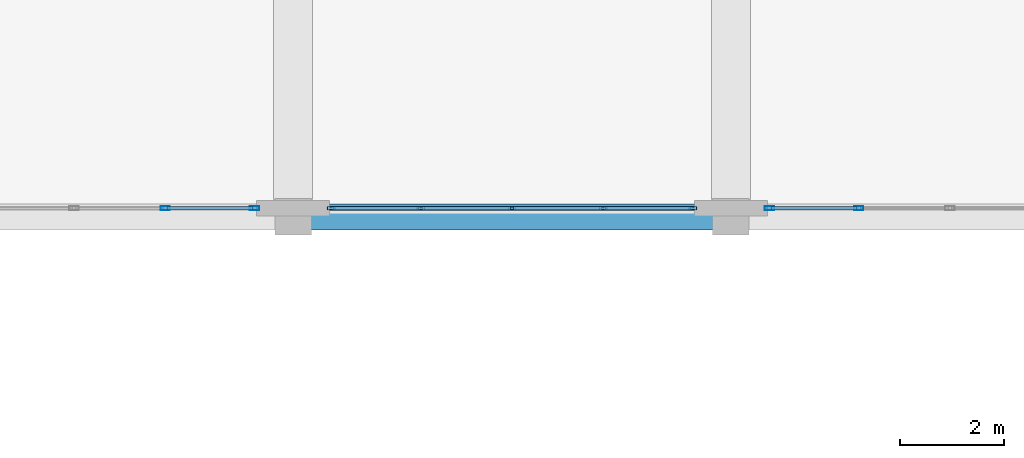
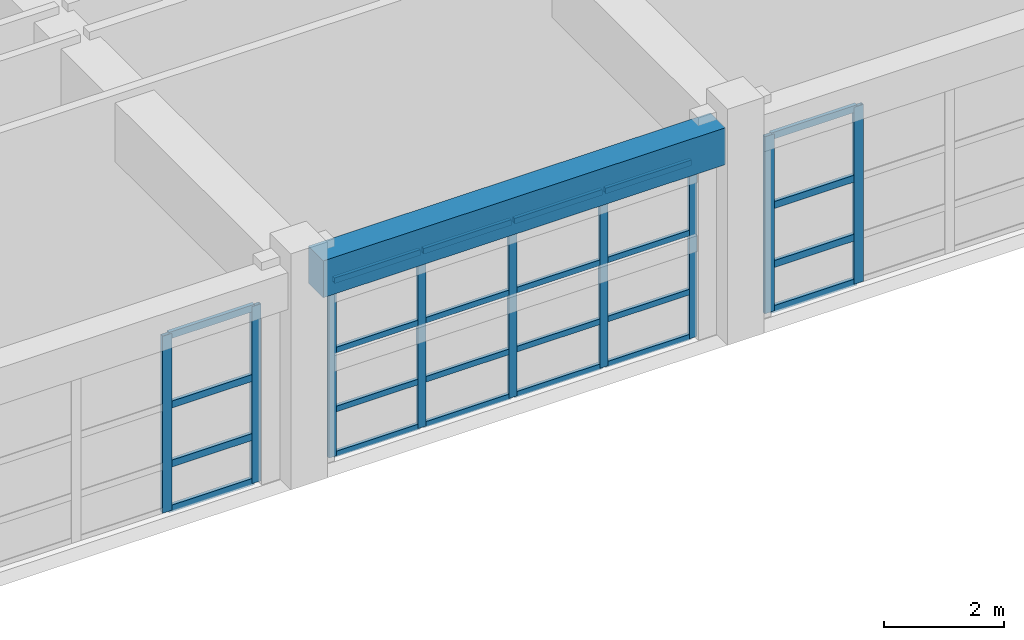
# One storey, part 50 of 123: 33 members, 1 beam, 3 elements without a shape of their own.
"""IFC4 building model written with IfcOpenShell, lengths in metres."""

from ifc_helpers import new_model, si_unit, direction, frame, origin, origin_2d, place, context, subcontext, project, spatial, rectangle, hollow_rectangle, extrude, material, layer, layer_set, material_profile, profile_set, type_object, element, aggregate, save


model = new_model("IFC4")

# Units and contexts
model_context = context("Model", 3, precision=1e-05, world=origin(), true_north=direction((0.0, 1.0)))
body_context = subcontext(model_context, "Body", "Model", "MODEL_VIEW")
ifc_project = project(units=[si_unit("LENGTHUNIT", "METRE"), si_unit("AREAUNIT", "SQUARE_METRE"), si_unit("VOLUMEUNIT", "CUBIC_METRE"), si_unit("PLANEANGLEUNIT", "RADIAN"), si_unit("MASSUNIT", "GRAM", prefix="KILO")], contexts=[model_context])

# Site, building, storey
site_placement = place(None, origin())
site = spatial("IfcSite", under=ifc_project, at=site_placement, CompositionType="ELEMENT")
building_placement = place(site_placement, origin())
building = spatial("IfcBuilding", under=site, at=building_placement, Name="Quendrovan Civic Courthouse", CompositionType="ELEMENT")
storey_placement = place(building_placement, frame((0.0, 0.0, 5.39990234375)))
storey = spatial("IfcBuildingStorey", under=building, at=storey_placement, Name="L02", CompositionType="ELEMENT", Elevation=5.39990234375)

# Beam
ifc_material_1 = material(Name="Concrete C40/50", Category="concrete")
ifc_material_profile_1 = material_profile(ifc_material_1, rectangle(XDim=0.5, YDim=0.75, at=origin_2d()), Name="RC-BM-500x750")
ifc_profile_set_1 = profile_set([ifc_material_profile_1], Name="Concrete C40/50")
beam_type = type_object("IfcBeamType", Name="BM-RC750", PredefinedType="SPANDREL", material=ifc_profile_set_1)
beam_placement = place(storey_placement, frame((67.530029296875, 64.800048828125, 3.985107421875), z_axis=(1.0, 0.0, 0.0), x_axis=(0.0, 1.0, 0.0)))
element("IfcBeam", 1, at=beam_placement, inside=storey, type_object=beam_type, Name="L02 Girder X0534", PredefinedType="SPANDREL", context=body_context, shape_type="SweptSolid", body=[
    extrude(rectangle(XDim=0.5, YDim=0.75, at=origin_2d()), origin(), (0.0, 0.0, 1.0), 7.739990234375),
])

# Curtain wall, members
ifc_material_2 = material(Name="Bronze anodised aluminium and low-E glass", Category="aluminium")
ifc_layer = layer(ifc_material_2, 0.179931640625, Name="Bronze anodised aluminium and low-E glass")
ifc_layer_set = layer_set([ifc_layer], Name="Bronze anodised aluminium and low-E glass")
curtain_wall_type = type_object("IfcCurtainWallType", Name="CW-U70x36", PredefinedType="USERDEFINED", material=ifc_layer_set)
curtain_wall_1_placement = place(storey_placement, origin())
curtain_wall_1 = element("IfcCurtainWall", 2, at=curtain_wall_1_placement, inside=storey, type_object=curtain_wall_type, Name="L02 Unitised Hurricane Curtain Wall CW-108", ObjectType="UNITISED CURTAIN WALL", PredefinedType="USERDEFINED")
ifc_material_3 = material(Name="Bronze anodised aluminium", Category="aluminium")
ifc_material_profile_2 = material_profile(ifc_material_3, hollow_rectangle(XDim=0.070068359375, YDim=0.179931640625, WallThickness=0.00390625, at=origin_2d()), Name="CW-MULL-70x180")
ifc_profile_set_2 = profile_set([ifc_material_profile_2], Name="Bronze anodised aluminium")
member_type_1 = type_object("IfcMemberType", Name="CW-MULL-A", PredefinedType="MULLION", material=ifc_profile_set_2)
member_1_placement = place(storey_placement, frame((78.050048828125, 64.965087890625, 0.0), z_axis=(0.0, 0.0, 1.0), x_axis=(0.0, -1.0, 0.0)))
member_1 = element("IfcMember", 3, at=member_1_placement, type_object=member_type_1, Name="CW-108 mullion 4", PredefinedType="MULLION", context=body_context, shape_type="SweptSolid", body=[
    extrude(hollow_rectangle(XDim=0.070068359375, YDim=0.179931640625, WallThickness=0.00390625, at=origin_2d()), origin(), (0.0, 0.0, 1.0), 3.60009765625),
])
member_2_placement = place(storey_placement, frame((76.3349609375, 64.965087890625, 0.0), z_axis=(0.0, 0.0, 1.0), x_axis=(0.0, -1.0, 0.0)))
member_2 = element("IfcMember", 4, at=member_2_placement, type_object=member_type_1, Name="CW-108 mullion 5", PredefinedType="MULLION", context=body_context, shape_type="SweptSolid", body=[
    extrude(hollow_rectangle(XDim=0.070068359375, YDim=0.179931640625, WallThickness=0.00390625, at=origin_2d()), origin(), (0.0, 0.0, 1.0), 3.60009765625),
])

curtain_wall_2_placement = place(storey_placement, origin())
curtain_wall_2 = element("IfcCurtainWall", 5, at=curtain_wall_2_placement, inside=storey, type_object=curtain_wall_type, Name="L02 Unitised Hurricane Curtain Wall CW-110", ObjectType="UNITISED CURTAIN WALL", PredefinedType="USERDEFINED")
member_3_placement = place(storey_placement, frame((66.465087890625, 64.965087890625, 0.0), z_axis=(0.0, 0.0, 1.0), x_axis=(0.0, -1.0, 0.0)))
member_3 = element("IfcMember", 6, at=member_3_placement, type_object=member_type_1, Name="CW-110 mullion 1", PredefinedType="MULLION", context=body_context, shape_type="SweptSolid", body=[
    extrude(hollow_rectangle(XDim=0.070068359375, YDim=0.179931640625, WallThickness=0.00390625, at=origin_2d()), origin(), (0.0, 0.0, 1.0), 3.60009765625),
])
member_4_placement = place(storey_placement, frame((64.75, 64.965087890625, 0.0), z_axis=(0.0, 0.0, 1.0), x_axis=(0.0, -1.0, 0.0)))
member_4 = element("IfcMember", 7, at=member_4_placement, type_object=member_type_1, Name="CW-110 mullion 2", PredefinedType="MULLION", context=body_context, shape_type="SweptSolid", body=[
    extrude(hollow_rectangle(XDim=0.070068359375, YDim=0.179931640625, WallThickness=0.00390625, at=origin_2d()), origin(), (0.0, 0.0, 1.0), 3.60009765625),
])

curtain_wall_3_placement = place(storey_placement, origin())
curtain_wall_3 = element("IfcCurtainWall", 8, at=curtain_wall_3_placement, inside=storey, type_object=curtain_wall_type, Name="L02 Unitised Hurricane Curtain Wall CW-109", ObjectType="UNITISED CURTAIN WALL", PredefinedType="USERDEFINED")
ifc_material_profile_3 = material_profile(ifc_material_3, hollow_rectangle(XDim=0.06494140625, YDim=0.14990234375, WallThickness=0.00390625, at=origin_2d()), Name="CW-MULL-65x150")
ifc_profile_set_3 = profile_set([ifc_material_profile_3], Name="Bronze anodised aluminium")
member_type_2 = type_object("IfcMemberType", Name="CW-MULL-B", PredefinedType="MULLION", material=ifc_profile_set_3)
member_5_placement = place(storey_placement, frame((74.867431640625, 64.965087890625, 0.0), z_axis=(0.0, 0.0, 1.0), x_axis=(0.0, -1.0, 0.0)))
member_5 = element("IfcMember", 9, at=member_5_placement, type_object=member_type_2, Name="CW-109 mullion 1", PredefinedType="MULLION", context=body_context, shape_type="SweptSolid", body=[
    extrude(hollow_rectangle(XDim=0.06494140625, YDim=0.14990234375, WallThickness=0.00390625, at=origin_2d()), origin(), (0.0, 0.0, 1.0), 3.60009765625),
])
member_6_placement = place(storey_placement, frame((73.14990234375, 64.965087890625, 0.0), z_axis=(0.0, 0.0, 1.0), x_axis=(0.0, -1.0, 0.0)))
member_6 = element("IfcMember", 10, at=member_6_placement, type_object=member_type_2, Name="CW-109 mullion 2", PredefinedType="MULLION", context=body_context, shape_type="SweptSolid", body=[
    extrude(hollow_rectangle(XDim=0.06494140625, YDim=0.14990234375, WallThickness=0.00390625, at=origin_2d()), origin(), (0.0, 0.0, 1.0), 3.60009765625),
])
member_7_placement = place(storey_placement, frame((71.39990234375, 64.965087890625, 0.0), z_axis=(0.0, 0.0, 1.0), x_axis=(0.0, -1.0, 0.0)))
member_7 = element("IfcMember", 11, at=member_7_placement, type_object=member_type_2, Name="CW-109 mullion 3", PredefinedType="MULLION", context=body_context, shape_type="SweptSolid", body=[
    extrude(hollow_rectangle(XDim=0.06494140625, YDim=0.14990234375, WallThickness=0.00390625, at=origin_2d()), origin(), (0.0, 0.0, 1.0), 3.60009765625),
])
member_8_placement = place(storey_placement, frame((69.64990234375, 64.965087890625, 0.0), z_axis=(0.0, 0.0, 1.0), x_axis=(0.0, -1.0, 0.0)))
member_8 = element("IfcMember", 12, at=member_8_placement, type_object=member_type_2, Name="CW-109 mullion 4", PredefinedType="MULLION", context=body_context, shape_type="SweptSolid", body=[
    extrude(hollow_rectangle(XDim=0.06494140625, YDim=0.14990234375, WallThickness=0.00390625, at=origin_2d()), origin(), (0.0, 0.0, 1.0), 3.60009765625),
])
member_9_placement = place(storey_placement, frame((67.9326171875, 64.965087890625, 0.0), z_axis=(0.0, 0.0, 1.0), x_axis=(0.0, -1.0, 0.0)))
member_9 = element("IfcMember", 13, at=member_9_placement, type_object=member_type_2, Name="CW-109 mullion 5", PredefinedType="MULLION", context=body_context, shape_type="SweptSolid", body=[
    extrude(hollow_rectangle(XDim=0.06494140625, YDim=0.14990234375, WallThickness=0.00390625, at=origin_2d()), origin(), (0.0, 0.0, 1.0), 3.60009765625),
])

# Member
ifc_material_profile_4 = material_profile(ifc_material_3, hollow_rectangle(XDim=0.070068359375, YDim=0.139892578125, WallThickness=0.00390625, at=origin_2d()), Name="CW-TRAN-70x140")
ifc_profile_set_4 = profile_set([ifc_material_profile_4], Name="Bronze anodised aluminium")
member_type_3 = type_object("IfcMemberType", Name="CW-TRAN-A", PredefinedType="USERDEFINED", material=ifc_profile_set_4)
member_10_placement = place(storey_placement, frame((78.014892578125, 64.965087890625, 0.03515625), z_axis=(-1.0, 0.0, 0.0), x_axis=(0.0, -1.0, 0.0)))
member_10 = element("IfcMember", 14, at=member_10_placement, type_object=member_type_3, Name="CW-108 transom 4.1", ObjectType="TRANSOM", PredefinedType="USERDEFINED", context=body_context, shape_type="SweptSolid", body=[
    extrude(hollow_rectangle(XDim=0.070068359375, YDim=0.139892578125, WallThickness=0.00390625, at=origin_2d()), origin(), (0.0, 0.0, 1.0), 1.644775390625),
])

member_11_placement = place(storey_placement, frame((78.014892578125, 64.965087890625, 0.9501953125), z_axis=(-1.0, 0.0, 0.0), x_axis=(0.0, -1.0, 0.0)))
member_11 = element("IfcMember", 15, at=member_11_placement, type_object=member_type_3, Name="CW-108 transom 4.2", ObjectType="TRANSOM", PredefinedType="USERDEFINED", context=body_context, shape_type="SweptSolid", body=[
    extrude(hollow_rectangle(XDim=0.070068359375, YDim=0.139892578125, WallThickness=0.00390625, at=origin_2d()), origin(), (0.0, 0.0, 1.0), 1.644775390625),
])

member_12_placement = place(storey_placement, frame((78.014892578125, 64.965087890625, 2.150146484375), z_axis=(-1.0, 0.0, 0.0), x_axis=(0.0, -1.0, 0.0)))
member_12 = element("IfcMember", 16, at=member_12_placement, type_object=member_type_3, Name="CW-108 transom 4.3", ObjectType="TRANSOM", PredefinedType="USERDEFINED", context=body_context, shape_type="SweptSolid", body=[
    extrude(hollow_rectangle(XDim=0.070068359375, YDim=0.139892578125, WallThickness=0.00390625, at=origin_2d()), origin(), (0.0, 0.0, 1.0), 1.644775390625),
])

member_13_placement = place(storey_placement, frame((78.014892578125, 64.965087890625, 3.565185546875), z_axis=(-1.0, 0.0, 0.0), x_axis=(0.0, -1.0, 0.0)))
member_13 = element("IfcMember", 17, at=member_13_placement, type_object=member_type_3, Name="CW-108 transom 4.4", ObjectType="TRANSOM", PredefinedType="USERDEFINED", context=body_context, shape_type="SweptSolid", body=[
    extrude(hollow_rectangle(XDim=0.070068359375, YDim=0.139892578125, WallThickness=0.00390625, at=origin_2d()), origin(), (0.0, 0.0, 1.0), 1.644775390625),
])

aggregate(curtain_wall_1, [member_1, member_2, member_10, member_11, member_12, member_13])

member_14_placement = place(storey_placement, frame((66.429931640625, 64.965087890625, 0.03515625), z_axis=(-1.0, 0.0, 0.0), x_axis=(0.0, -1.0, 0.0)))
member_14 = element("IfcMember", 18, at=member_14_placement, type_object=member_type_3, Name="CW-110 transom 1.1", ObjectType="TRANSOM", PredefinedType="USERDEFINED", context=body_context, shape_type="SweptSolid", body=[
    extrude(hollow_rectangle(XDim=0.070068359375, YDim=0.139892578125, WallThickness=0.00390625, at=origin_2d()), origin(), (0.0, 0.0, 1.0), 1.64501953125),
])

member_15_placement = place(storey_placement, frame((66.429931640625, 64.965087890625, 0.9501953125), z_axis=(-1.0, 0.0, 0.0), x_axis=(0.0, -1.0, 0.0)))
member_15 = element("IfcMember", 19, at=member_15_placement, type_object=member_type_3, Name="CW-110 transom 1.2", ObjectType="TRANSOM", PredefinedType="USERDEFINED", context=body_context, shape_type="SweptSolid", body=[
    extrude(hollow_rectangle(XDim=0.070068359375, YDim=0.139892578125, WallThickness=0.00390625, at=origin_2d()), origin(), (0.0, 0.0, 1.0), 1.64501953125),
])

member_16_placement = place(storey_placement, frame((66.429931640625, 64.965087890625, 2.150146484375), z_axis=(-1.0, 0.0, 0.0), x_axis=(0.0, -1.0, 0.0)))
member_16 = element("IfcMember", 20, at=member_16_placement, type_object=member_type_3, Name="CW-110 transom 1.3", ObjectType="TRANSOM", PredefinedType="USERDEFINED", context=body_context, shape_type="SweptSolid", body=[
    extrude(hollow_rectangle(XDim=0.070068359375, YDim=0.139892578125, WallThickness=0.00390625, at=origin_2d()), origin(), (0.0, 0.0, 1.0), 1.64501953125),
])

member_17_placement = place(storey_placement, frame((66.429931640625, 64.965087890625, 3.565185546875), z_axis=(-1.0, 0.0, 0.0), x_axis=(0.0, -1.0, 0.0)))
member_17 = element("IfcMember", 21, at=member_17_placement, type_object=member_type_3, Name="CW-110 transom 1.4", ObjectType="TRANSOM", PredefinedType="USERDEFINED", context=body_context, shape_type="SweptSolid", body=[
    extrude(hollow_rectangle(XDim=0.070068359375, YDim=0.139892578125, WallThickness=0.00390625, at=origin_2d()), origin(), (0.0, 0.0, 1.0), 1.64501953125),
])

aggregate(curtain_wall_2, [member_3, member_4, member_14, member_15, member_16, member_17])

ifc_material_profile_5 = material_profile(ifc_material_3, hollow_rectangle(XDim=0.06494140625, YDim=0.114990234375, WallThickness=0.00390625, at=origin_2d()), Name="CW-TRAN-65x115")
ifc_profile_set_5 = profile_set([ifc_material_profile_5], Name="Bronze anodised aluminium")
member_type_4 = type_object("IfcMemberType", Name="CW-TRAN-B", PredefinedType="USERDEFINED", material=ifc_profile_set_5)
member_18_placement = place(storey_placement, frame((74.8349609375, 64.965087890625, 0.03271484375), z_axis=(-1.0, 0.0, 0.0), x_axis=(0.0, -1.0, 0.0)))
member_18 = element("IfcMember", 22, at=member_18_placement, type_object=member_type_4, Name="CW-109 transom 1.1", ObjectType="TRANSOM", PredefinedType="USERDEFINED", context=body_context, shape_type="SweptSolid", body=[
    extrude(hollow_rectangle(XDim=0.06494140625, YDim=0.114990234375, WallThickness=0.00390625, at=origin_2d()), origin(), (0.0, 0.0, 1.0), 1.65234375),
])

member_19_placement = place(storey_placement, frame((74.8349609375, 64.965087890625, 0.9501953125), z_axis=(-1.0, 0.0, 0.0), x_axis=(0.0, -1.0, 0.0)))
member_19 = element("IfcMember", 23, at=member_19_placement, type_object=member_type_4, Name="CW-109 transom 1.2", ObjectType="TRANSOM", PredefinedType="USERDEFINED", context=body_context, shape_type="SweptSolid", body=[
    extrude(hollow_rectangle(XDim=0.06494140625, YDim=0.114990234375, WallThickness=0.00390625, at=origin_2d()), origin(), (0.0, 0.0, 1.0), 1.65234375),
])

member_20_placement = place(storey_placement, frame((74.8349609375, 64.965087890625, 2.150146484375), z_axis=(-1.0, 0.0, 0.0), x_axis=(0.0, -1.0, 0.0)))
member_20 = element("IfcMember", 24, at=member_20_placement, type_object=member_type_4, Name="CW-109 transom 1.3", ObjectType="TRANSOM", PredefinedType="USERDEFINED", context=body_context, shape_type="SweptSolid", body=[
    extrude(hollow_rectangle(XDim=0.06494140625, YDim=0.114990234375, WallThickness=0.00390625, at=origin_2d()), origin(), (0.0, 0.0, 1.0), 1.65234375),
])

member_21_placement = place(storey_placement, frame((74.8349609375, 64.965087890625, 3.567626953125), z_axis=(-1.0, 0.0, 0.0), x_axis=(0.0, -1.0, 0.0)))
member_21 = element("IfcMember", 25, at=member_21_placement, type_object=member_type_4, Name="CW-109 transom 1.4", ObjectType="TRANSOM", PredefinedType="USERDEFINED", context=body_context, shape_type="SweptSolid", body=[
    extrude(hollow_rectangle(XDim=0.06494140625, YDim=0.114990234375, WallThickness=0.00390625, at=origin_2d()), origin(), (0.0, 0.0, 1.0), 1.65234375),
])

member_22_placement = place(storey_placement, frame((73.117431640625, 64.965087890625, 0.03271484375), z_axis=(-1.0, 0.0, 0.0), x_axis=(0.0, -1.0, 0.0)))
member_22 = element("IfcMember", 26, at=member_22_placement, type_object=member_type_4, Name="CW-109 transom 2.1", ObjectType="TRANSOM", PredefinedType="USERDEFINED", context=body_context, shape_type="SweptSolid", body=[
    extrude(hollow_rectangle(XDim=0.06494140625, YDim=0.114990234375, WallThickness=0.00390625, at=origin_2d()), origin(), (0.0, 0.0, 1.0), 1.684814453125),
])

member_23_placement = place(storey_placement, frame((73.117431640625, 64.965087890625, 0.9501953125), z_axis=(-1.0, 0.0, 0.0), x_axis=(0.0, -1.0, 0.0)))
member_23 = element("IfcMember", 27, at=member_23_placement, type_object=member_type_4, Name="CW-109 transom 2.2", ObjectType="TRANSOM", PredefinedType="USERDEFINED", context=body_context, shape_type="SweptSolid", body=[
    extrude(hollow_rectangle(XDim=0.06494140625, YDim=0.114990234375, WallThickness=0.00390625, at=origin_2d()), origin(), (0.0, 0.0, 1.0), 1.684814453125),
])

member_24_placement = place(storey_placement, frame((73.117431640625, 64.965087890625, 2.150146484375), z_axis=(-1.0, 0.0, 0.0), x_axis=(0.0, -1.0, 0.0)))
member_24 = element("IfcMember", 28, at=member_24_placement, type_object=member_type_4, Name="CW-109 transom 2.3", ObjectType="TRANSOM", PredefinedType="USERDEFINED", context=body_context, shape_type="SweptSolid", body=[
    extrude(hollow_rectangle(XDim=0.06494140625, YDim=0.114990234375, WallThickness=0.00390625, at=origin_2d()), origin(), (0.0, 0.0, 1.0), 1.684814453125),
])

member_25_placement = place(storey_placement, frame((73.117431640625, 64.965087890625, 3.567626953125), z_axis=(-1.0, 0.0, 0.0), x_axis=(0.0, -1.0, 0.0)))
member_25 = element("IfcMember", 29, at=member_25_placement, type_object=member_type_4, Name="CW-109 transom 2.4", ObjectType="TRANSOM", PredefinedType="USERDEFINED", context=body_context, shape_type="SweptSolid", body=[
    extrude(hollow_rectangle(XDim=0.06494140625, YDim=0.114990234375, WallThickness=0.00390625, at=origin_2d()), origin(), (0.0, 0.0, 1.0), 1.684814453125),
])

member_26_placement = place(storey_placement, frame((71.367431640625, 64.965087890625, 0.03271484375), z_axis=(-1.0, 0.0, 0.0), x_axis=(0.0, -1.0, 0.0)))
member_26 = element("IfcMember", 30, at=member_26_placement, type_object=member_type_4, Name="CW-109 transom 3.1", ObjectType="TRANSOM", PredefinedType="USERDEFINED", context=body_context, shape_type="SweptSolid", body=[
    extrude(hollow_rectangle(XDim=0.06494140625, YDim=0.114990234375, WallThickness=0.00390625, at=origin_2d()), origin(), (0.0, 0.0, 1.0), 1.684814453125),
])

member_27_placement = place(storey_placement, frame((71.367431640625, 64.965087890625, 0.9501953125), z_axis=(-1.0, 0.0, 0.0), x_axis=(0.0, -1.0, 0.0)))
member_27 = element("IfcMember", 31, at=member_27_placement, type_object=member_type_4, Name="CW-109 transom 3.2", ObjectType="TRANSOM", PredefinedType="USERDEFINED", context=body_context, shape_type="SweptSolid", body=[
    extrude(hollow_rectangle(XDim=0.06494140625, YDim=0.114990234375, WallThickness=0.00390625, at=origin_2d()), origin(), (0.0, 0.0, 1.0), 1.684814453125),
])

member_28_placement = place(storey_placement, frame((71.367431640625, 64.965087890625, 2.150146484375), z_axis=(-1.0, 0.0, 0.0), x_axis=(0.0, -1.0, 0.0)))
member_28 = element("IfcMember", 32, at=member_28_placement, type_object=member_type_4, Name="CW-109 transom 3.3", ObjectType="TRANSOM", PredefinedType="USERDEFINED", context=body_context, shape_type="SweptSolid", body=[
    extrude(hollow_rectangle(XDim=0.06494140625, YDim=0.114990234375, WallThickness=0.00390625, at=origin_2d()), origin(), (0.0, 0.0, 1.0), 1.684814453125),
])

member_29_placement = place(storey_placement, frame((71.367431640625, 64.965087890625, 3.567626953125), z_axis=(-1.0, 0.0, 0.0), x_axis=(0.0, -1.0, 0.0)))
member_29 = element("IfcMember", 33, at=member_29_placement, type_object=member_type_4, Name="CW-109 transom 3.4", ObjectType="TRANSOM", PredefinedType="USERDEFINED", context=body_context, shape_type="SweptSolid", body=[
    extrude(hollow_rectangle(XDim=0.06494140625, YDim=0.114990234375, WallThickness=0.00390625, at=origin_2d()), origin(), (0.0, 0.0, 1.0), 1.684814453125),
])

member_30_placement = place(storey_placement, frame((69.617431640625, 64.965087890625, 0.03271484375), z_axis=(-1.0, 0.0, 0.0), x_axis=(0.0, -1.0, 0.0)))
member_30 = element("IfcMember", 34, at=member_30_placement, type_object=member_type_4, Name="CW-109 transom 4.1", ObjectType="TRANSOM", PredefinedType="USERDEFINED", context=body_context, shape_type="SweptSolid", body=[
    extrude(hollow_rectangle(XDim=0.06494140625, YDim=0.114990234375, WallThickness=0.00390625, at=origin_2d()), origin(), (0.0, 0.0, 1.0), 1.65234375),
])

member_31_placement = place(storey_placement, frame((69.617431640625, 64.965087890625, 0.9501953125), z_axis=(-1.0, 0.0, 0.0), x_axis=(0.0, -1.0, 0.0)))
member_31 = element("IfcMember", 35, at=member_31_placement, type_object=member_type_4, Name="CW-109 transom 4.2", ObjectType="TRANSOM", PredefinedType="USERDEFINED", context=body_context, shape_type="SweptSolid", body=[
    extrude(hollow_rectangle(XDim=0.06494140625, YDim=0.114990234375, WallThickness=0.00390625, at=origin_2d()), origin(), (0.0, 0.0, 1.0), 1.65234375),
])

member_32_placement = place(storey_placement, frame((69.617431640625, 64.965087890625, 2.150146484375), z_axis=(-1.0, 0.0, 0.0), x_axis=(0.0, -1.0, 0.0)))
member_32 = element("IfcMember", 36, at=member_32_placement, type_object=member_type_4, Name="CW-109 transom 4.3", ObjectType="TRANSOM", PredefinedType="USERDEFINED", context=body_context, shape_type="SweptSolid", body=[
    extrude(hollow_rectangle(XDim=0.06494140625, YDim=0.114990234375, WallThickness=0.00390625, at=origin_2d()), origin(), (0.0, 0.0, 1.0), 1.65234375),
])

member_33_placement = place(storey_placement, frame((69.617431640625, 64.965087890625, 3.567626953125), z_axis=(-1.0, 0.0, 0.0), x_axis=(0.0, -1.0, 0.0)))
member_33 = element("IfcMember", 37, at=member_33_placement, type_object=member_type_4, Name="CW-109 transom 4.4", ObjectType="TRANSOM", PredefinedType="USERDEFINED", context=body_context, shape_type="SweptSolid", body=[
    extrude(hollow_rectangle(XDim=0.06494140625, YDim=0.114990234375, WallThickness=0.00390625, at=origin_2d()), origin(), (0.0, 0.0, 1.0), 1.65234375),
])

aggregate(curtain_wall_3, [member_5, member_6, member_7, member_8, member_9, member_18, member_19, member_20, member_21, member_22, member_23, member_24, member_25, member_26, member_27, member_28, member_29, member_30, member_31, member_32, member_33])

save(model, "model.ifc")
